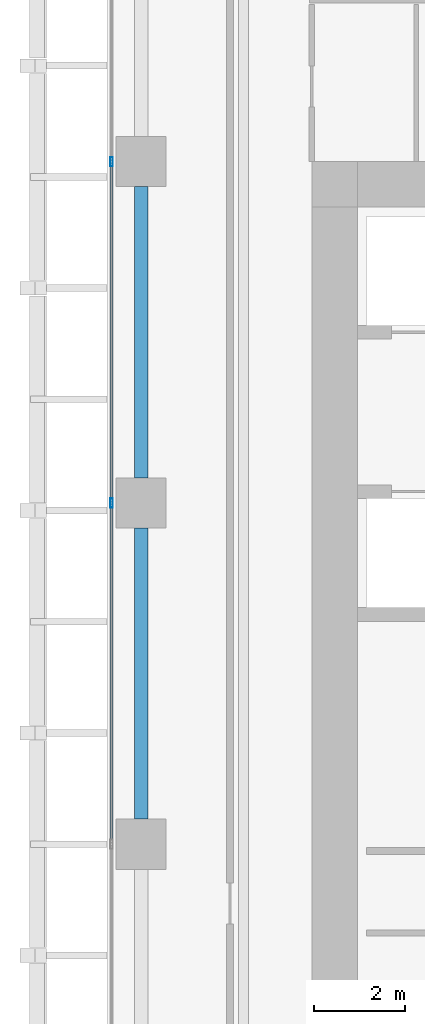
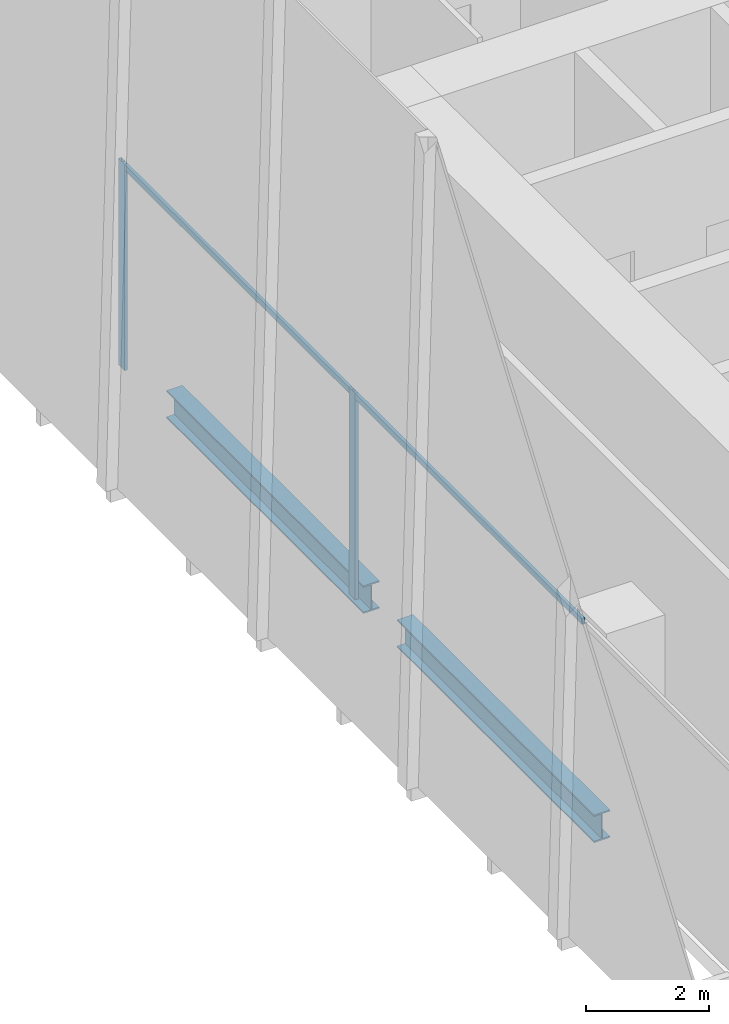
# One storey, part 14 of 36: 4 members, 2 beams, 1 element without a shape of its own.
"""IFC4 building model written with IfcOpenShell, lengths in metres."""

from ifc_helpers import new_model, si_unit, direction, frame, origin, origin_2d, place, context, subcontext, project, spatial, hollow_rectangle, i_section, extrude, source, transform, mapped, material, material_profile, profile_set, type_object, element, aggregate, save


model = new_model("IFC4")

# Units and contexts
model_context = context("Model", 3, precision=1e-05, world=origin(), true_north=direction((0.0, 1.0)))
body_context = subcontext(model_context, "Body", "Model", "MODEL_VIEW")
ifc_project = project(units=[si_unit("LENGTHUNIT", "METRE"), si_unit("AREAUNIT", "SQUARE_METRE"), si_unit("VOLUMEUNIT", "CUBIC_METRE"), si_unit("PLANEANGLEUNIT", "RADIAN"), si_unit("MASSUNIT", "GRAM", prefix="KILO")], contexts=[model_context])

# Site, building, storey
site_placement = place(None, origin())
site = spatial("IfcSite", under=ifc_project, at=site_placement, CompositionType="ELEMENT")
building_placement = place(site_placement, origin())
building = spatial("IfcBuilding", under=site, at=building_placement, Name="Khomas Fold Tower", CompositionType="ELEMENT")
storey_placement = place(building_placement, frame((0.0, 0.0, 141.10009765625)))
storey = spatial("IfcBuildingStorey", under=building, at=storey_placement, Name="L30", CompositionType="ELEMENT", Elevation=141.10009765625)

# Beams
ifc_material_1 = material(Name="Steel S355", Category="steel")
ifc_material_profile_1 = material_profile(ifc_material_1, i_section(OverallWidth=0.300048828125, OverallDepth=0.550048828125, WebThickness=0.014892578125, FlangeThickness=0.029052734375, at=origin_2d()), Name="HE 550 B")
ifc_profile_set_1 = profile_set([ifc_material_profile_1], Name="Steel S355")
beam_type = type_object("IfcBeamType", Name="HE 550 B spandrel SB2", PredefinedType="SPANDREL", material=ifc_profile_set_1)
shared_shape_1 = source(origin(), body_context, "Body", "SweptSolid", [
    extrude(i_section(OverallWidth=0.300048828125, OverallDepth=0.550048828125, WebThickness=0.014892578125, FlangeThickness=0.029052734375, at=origin_2d()), origin(), (0.0, 0.0, 1.0), 6.39990234375),
])
for number, where, z_axis, x_axis, name in (
    (1, (2.25, 35.050048828125, -0.5751953125), (0.0, 1.0, 0.0), (-1.0, 0.0, 0.0), "SB2"),
    (2, (2.25, 27.550048828125, -0.5751953125), (0.0, 1.0, 0.0), (-1.0, 0.0, 0.0), "SB2"),
):
    element("IfcBeam", number, at=place(storey_placement, frame(where, z_axis=z_axis, x_axis=x_axis)), inside=storey, type_object=beam_type, Name=name, PredefinedType="SPANDREL", context=body_context, shape_type="MappedRepresentation", body=[
        mapped(shared_shape_1, transform((0.0, 0.0, 0.0))),
    ])

# Curtain wall, members
ifc_material_2 = material(Name="Aluminium framed double glazing", Category="aluminium")
curtain_wall_type = type_object("IfcCurtainWallType", Name="SK-Unitised clear-glass wall, growing floors CW1", PredefinedType="NOTDEFINED", material=ifc_material_2)
curtain_wall_placement = place(storey_placement, origin())
curtain_wall = element("IfcCurtainWall", 3, at=curtain_wall_placement, inside=storey, type_object=curtain_wall_type, Name="CW1 run L30 09-0", PredefinedType="NOTDEFINED")
ifc_material_3 = material(Name="Aluminium", Category="aluminium")
ifc_material_profile_2 = material_profile(ifc_material_3, hollow_rectangle(XDim=0.06005859375, YDim=0.1201171875, WallThickness=0.00390625, at=origin_2d()), Name="SK-Unitised clear-glass wall, growing floors transom CW1-T")
ifc_profile_set_2 = profile_set([ifc_material_profile_2], Name="Aluminium")
member_type_1 = type_object("IfcMemberType", Name="SK-Unitised clear-glass wall, growing floors transom CW1-T", PredefinedType="USERDEFINED", material=ifc_profile_set_2)
shared_shape_2 = source(origin(), body_context, "Body", "SweptSolid", [
    extrude(hollow_rectangle(XDim=0.06005859375, YDim=0.1201171875, WallThickness=0.00390625, at=origin_2d()), origin(), (0.0, 0.0, 1.0), 7.43994140625),
])
member_1_placement = place(storey_placement, frame((1.60009765625, 41.969970703125, 4.039794921875), z_axis=(0.0, -1.0, 0.0), x_axis=(1.0, 0.0, 0.0)))
member_1 = element("IfcMember", 4, at=member_1_placement, type_object=member_type_1, Name="CW1 transom 3", ObjectType="TRANSOM", PredefinedType="USERDEFINED", context=body_context, shape_type="MappedRepresentation", body=[
    mapped(shared_shape_2, transform((0.0, 0.0, 0.0))),
])
member_2_placement = place(storey_placement, frame((1.60009765625, 34.469970703125, 4.039794921875), z_axis=(0.0, -1.0, 0.0), x_axis=(1.0, 0.0, 0.0)))
member_2 = element("IfcMember", 5, at=member_2_placement, type_object=member_type_1, Name="CW1 transom 4", ObjectType="TRANSOM", PredefinedType="USERDEFINED", context=body_context, shape_type="MappedRepresentation", body=[
    mapped(shared_shape_2, transform((0.0, 0.0, 0.0))),
])
ifc_material_4 = material(Name="Aluminium", Category="aluminium")
ifc_material_profile_3 = material_profile(ifc_material_4, hollow_rectangle(XDim=0.06005859375, YDim=0.199951171875, WallThickness=0.00390625, at=origin_2d()), Name="SK-Unitised clear-glass wall, growing floors mullion CW1-M")
ifc_profile_set_3 = profile_set([ifc_material_profile_3], Name="Aluminium")
member_type_2 = type_object("IfcMemberType", Name="SK-Unitised clear-glass wall, growing floors mullion CW1-M", PredefinedType="MULLION", material=ifc_profile_set_3)
shared_shape_3 = source(origin(), body_context, "Body", "SweptSolid", [
    extrude(hollow_rectangle(XDim=0.06005859375, YDim=0.199951171875, WallThickness=0.00390625, at=origin_2d()), origin(), (0.0, 0.0, 1.0), 4.099853515625),
])
member_3_placement = place(storey_placement, frame((1.60009765625, 42.0, 0.0), z_axis=(0.0, 0.0, 1.0), x_axis=(1.0, 0.0, 0.0)))
member_3 = element("IfcMember", 6, at=member_3_placement, type_object=member_type_2, Name="CW1 mullion 3", PredefinedType="MULLION", context=body_context, shape_type="MappedRepresentation", body=[
    mapped(shared_shape_3, transform((0.0, 0.0, 0.0))),
])
member_4_placement = place(storey_placement, frame((1.60009765625, 34.5, 0.0), z_axis=(0.0, 0.0, 1.0), x_axis=(1.0, 0.0, 0.0)))
member_4 = element("IfcMember", 7, at=member_4_placement, type_object=member_type_2, Name="CW1 mullion 4", PredefinedType="MULLION", context=body_context, shape_type="MappedRepresentation", body=[
    mapped(shared_shape_3, transform((0.0, 0.0, 0.0))),
])
aggregate(curtain_wall, [member_3, member_4, member_1, member_2])

save(model, "model.ifc")
